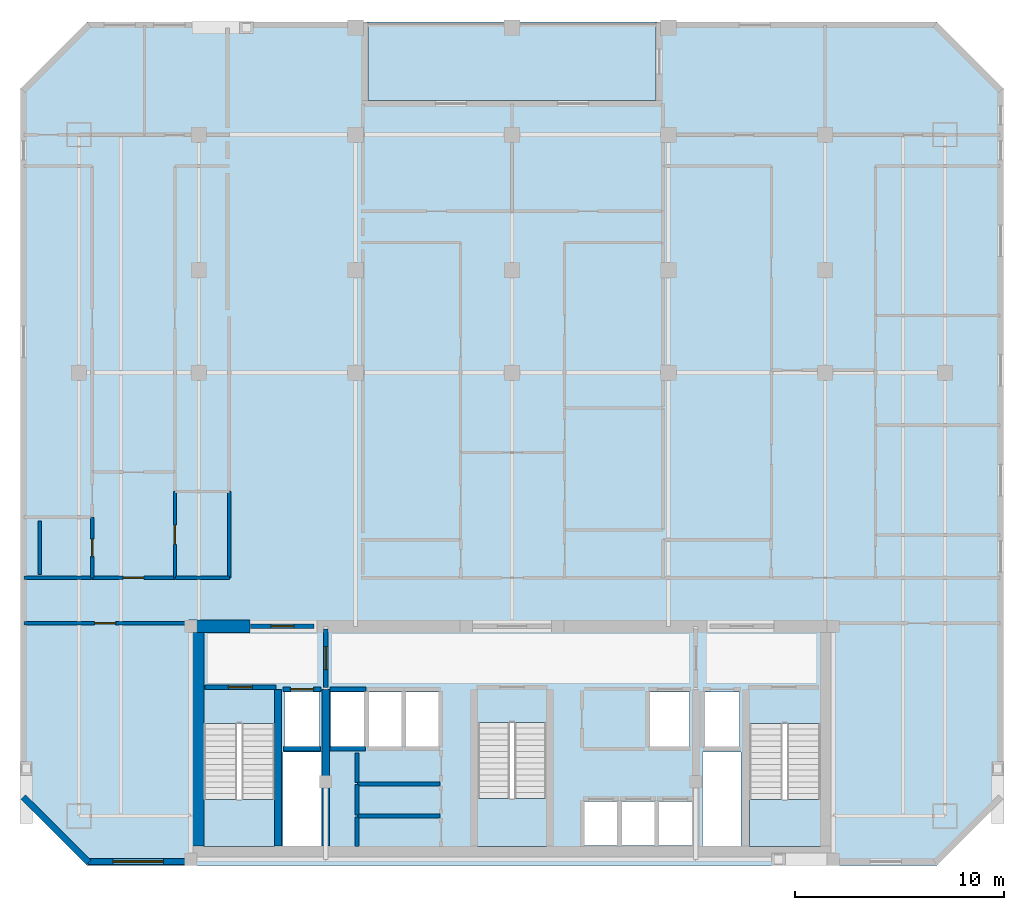
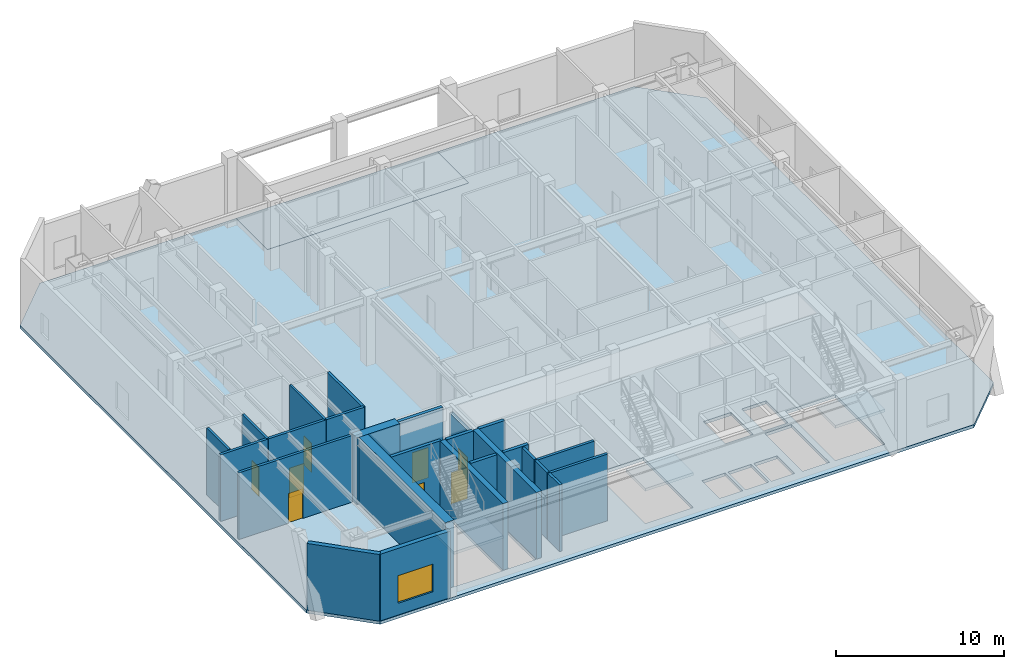
# One storey, part 2 of 8: 26 walls, 8 doors, 5 slabs, 1 window, 9 openings, 3 elements without a shape of their own.
"""IFC4 building model written with IfcOpenShell, lengths in metres."""

import ifcopenshell
import ifcopenshell.guid

model = None  # the IFC model being written
_history = None  # IfcOwnerHistory: only IFC2X3 demands one
_inside = {}  # id of a spatial element -> (the spatial element, [elements in it])
_under = {}  # id of a project, library or spatial element -> (it, [spatial elements below it])
_declared = {}  # id of a project -> (the project, [libraries it declares])
_typed = {}  # id of a type object -> (the type object, [elements of that type])
_made_of = {}  # id of a material, layer set ... -> (it, [elements and type objects made of it])


def new_model(schema):
    """Start an empty IFC model of exactly this schema.

    Asked for "IFC4X3", IfcOpenShell would pick the latest addendum, in which some entities
    have other attributes; the version numbers below select the first issue.
    IFC2X3 requires an IfcOwnerHistory on every rooted entity: one is made here for all.
    """
    global model, _history
    if schema == "IFC4X3":
        model = ifcopenshell.file(schema_version=(4, 3, 0, 0))
    else:
        model = ifcopenshell.file(schema=schema)
    _inside.clear()
    _under.clear()
    _declared.clear()
    _typed.clear()
    _made_of.clear()
    _history = None
    if model.schema == "IFC2X3":
        org = make("IfcOrganization", Name="unknown")
        user = make(
            "IfcPersonAndOrganization",
            ThePerson=make("IfcPerson", FamilyName="unknown"),
            TheOrganization=org,
        )
        app = make(
            "IfcApplication",
            ApplicationDeveloper=org,
            Version="unknown",
            ApplicationFullName="unknown",
            ApplicationIdentifier="unknown",
        )
        _history = make(
            "IfcOwnerHistory",
            OwningUser=user,
            OwningApplication=app,
            ChangeAction="ADDED",
            CreationDate=0,
        )
    return model


def make(cls, **values):
    """One entity of the class cls with the attributes given. An attribute that is None is left unset."""
    return model.create_entity(
        cls, **{name: value for name, value in values.items() if value is not None}
    )


def rooted(cls, **values):
    """An entity with a GlobalId (a new one), such as an element, a storey or a relation."""
    return make(cls, GlobalId=ifcopenshell.guid.new(), OwnerHistory=_history, **values)


def si_unit(unit_type, name, prefix=None):
    """IfcSIUnit, for example si_unit("LENGTHUNIT", "METRE", prefix="MILLI")."""
    return make("IfcSIUnit", UnitType=unit_type, Prefix=prefix, Name=name)


def assignment(units):
    """IfcUnitAssignment: the units of a project."""
    return None if units is None else make("IfcUnitAssignment", Units=units)


def point(xyz):
    """IfcCartesianPoint."""
    return None if xyz is None else make("IfcCartesianPoint", Coordinates=xyz)


def direction(xyz):
    """IfcDirection."""
    return None if xyz is None else make("IfcDirection", DirectionRatios=xyz)


def frame(location, z_axis=None, x_axis=None):
    """IfcAxis2Placement3D, a coordinate frame: its origin and axes. An axis left out is left unset."""
    return make(
        "IfcAxis2Placement3D",
        Location=point(location),
        Axis=direction(z_axis),
        RefDirection=direction(x_axis),
    )


def frame_2d(location, x_axis=None):
    """IfcAxis2Placement2D, a coordinate frame in the plane: its origin and x axis."""
    return make(
        "IfcAxis2Placement2D", Location=point(location), RefDirection=direction(x_axis)
    )


def origin():
    """The frame at (0, 0, 0) with its axes left unset."""
    return frame((0.0, 0.0, 0.0))


def place(relative_to, where):
    """IfcLocalPlacement: puts the frame where relative to a parent placement (None: the world)."""
    return make(
        "IfcLocalPlacement", PlacementRelTo=relative_to, RelativePlacement=where
    )


def context(
    kind, dimensions, precision=None, world=None, true_north=None, identifier=None
):
    """IfcGeometricRepresentationContext, for example the 3D "Model" context."""
    return make(
        "IfcGeometricRepresentationContext",
        ContextIdentifier=identifier,
        ContextType=kind,
        CoordinateSpaceDimension=dimensions,
        Precision=precision,
        WorldCoordinateSystem=world,
        TrueNorth=true_north,
    )


def subcontext(parent, identifier, kind, view, scale=None):
    """IfcGeometricRepresentationSubContext, for example "Body" below "Model"."""
    return make(
        "IfcGeometricRepresentationSubContext",
        ContextIdentifier=identifier,
        ContextType=kind,
        ParentContext=parent,
        TargetScale=scale,
        TargetView=view,
    )


def project(units=None, contexts=None):
    """IfcProject with its units and contexts."""
    return rooted(
        "IfcProject",
        Name="project",
        RepresentationContexts=contexts,
        UnitsInContext=assignment(units),
    )


def spatial(cls, under=None, at=None, **own):
    """A site, building, storey or space (cls), placed at a placement, below another one or the project."""
    s = rooted(cls, ObjectPlacement=at, **own)
    if under is not None:
        _under.setdefault(under.id(), (under, []))[1].append(s)
    return s


def polyline(points):
    """IfcPolyline through the points."""
    return make("IfcPolyline", Points=[point(p) for p in points])


def profile(cls, at=None, kind="AREA", **sizes):
    """A parametric profile (cls). Its sizes go by their IFC names, for example OverallWidth=200.0."""
    return make(cls, ProfileType=kind, Position=at, **sizes)


def rectangle(**sizes):
    """IfcRectangleProfileDef."""
    return profile("IfcRectangleProfileDef", **sizes)


def outline(outer, holes=None, kind="AREA"):
    """IfcArbitraryClosedProfileDef: a profile drawn as a closed curve; with holes, ...WithVoids."""
    if holes is None:
        return make("IfcArbitraryClosedProfileDef", ProfileType=kind, OuterCurve=outer)
    return make(
        "IfcArbitraryProfileDefWithVoids",
        ProfileType=kind,
        OuterCurve=outer,
        InnerCurves=holes,
    )


def extrude(swept, where, along, depth):
    """IfcExtrudedAreaSolid: the profile swept, set in the frame where, extruded along a direction by depth."""
    return make(
        "IfcExtrudedAreaSolid",
        SweptArea=swept,
        Position=where,
        ExtrudedDirection=direction(along),
        Depth=depth,
    )


def shape(context_of_items, identifier, shape_type, items):
    """IfcShapeRepresentation: the items that make up one representation, for example the "Body"."""
    return make(
        "IfcShapeRepresentation",
        ContextOfItems=context_of_items,
        RepresentationIdentifier=identifier,
        RepresentationType=shape_type,
        Items=items,
    )


def material(Name=None, Category=None):
    """IfcMaterial."""
    return make("IfcMaterial", Name=Name, Category=Category)


def layer(
    of_material, thickness, ventilated=None, Name=None, Category=None, Priority=None
):
    """IfcMaterialLayer: one layer of a wall or slab, of a material (None: an air gap)."""
    return make(
        "IfcMaterialLayer",
        Material=of_material,
        LayerThickness=thickness,
        IsVentilated=ventilated,
        Name=Name,
        Category=Category,
        Priority=Priority,
    )


def layer_set(layers, Name=None):
    """IfcMaterialLayerSet."""
    return make("IfcMaterialLayerSet", MaterialLayers=layers, LayerSetName=Name)


def made_of(thing, what):
    """Note that an element or type object is made of a material, layer set ...; save() writes the relation."""
    if what is not None:
        _made_of.setdefault(what.id(), (what, []))[1].append(thing)
    return thing


def type_object(cls, material=None, **own):
    """A type object (cls), such as IfcWallType, which elements share."""
    return made_of(rooted(cls, **own), material)


def element(
    cls,
    number,
    at=None,
    inside=None,
    cuts=None,
    type_object=None,
    material=None,
    context=None,
    identifier="Body",
    shape_type=None,
    held_by="IfcProductDefinitionShape",
    body=None,
    shapes=None,
    **own,
):
    """One element of the class cls, such as IfcWall. Its Tag is "e" and its number.

    at: its placement. inside: the storey or other place that contains it. cuts: it is an
    opening in that element (IfcRelVoidsElement). A single representation is given by context,
    identifier, shape_type and body (its items); several are given by shapes. held_by: the class
    of the entity that holds the representations. save() writes the other relations.
    """
    e = rooted(cls, Tag="e%d" % number, ObjectPlacement=at, **own)
    if body is not None:
        shapes = [shape(context, identifier, shape_type, body)]
    if shapes is not None:
        e.Representation = make(held_by, Representations=shapes)
    if inside is not None:
        _inside.setdefault(inside.id(), (inside, []))[1].append(e)
    if cuts is not None:
        rooted(
            "IfcRelVoidsElement", RelatingBuildingElement=cuts, RelatedOpeningElement=e
        )
    if type_object is not None:
        _typed.setdefault(type_object.id(), (type_object, []))[1].append(e)
    return made_of(e, material)


def fill(opening, filler):
    """IfcRelFillsElement: the door or window that sits in an opening."""
    return rooted(
        "IfcRelFillsElement",
        RelatingOpeningElement=opening,
        RelatedBuildingElement=filler,
    )


def aggregate(whole, parts):
    """IfcRelAggregates: a whole, such as a stair, and the parts it consists of."""
    return rooted("IfcRelAggregates", RelatingObject=whole, RelatedObjects=parts)


def save(model, path):
    """Write the relations noted so far, then the file.

    IfcRelAggregates (storeys below a building ...), IfcRelContainedInSpatialStructure (elements
    in a storey), IfcRelDefinesByType, IfcRelAssociatesMaterial and IfcRelDeclares: one each for
    every whole, place, type object, material and project.
    """
    for whole, parts in _under.values():
        aggregate(whole, parts)
    for where, things in _inside.values():
        rooted(
            "IfcRelContainedInSpatialStructure",
            RelatedElements=things,
            RelatingStructure=where,
        )
    for kind, things in _typed.values():
        rooted("IfcRelDefinesByType", RelatedObjects=things, RelatingType=kind)
    for what, things in _made_of.values():
        rooted("IfcRelAssociatesMaterial", RelatedObjects=things, RelatingMaterial=what)
    for by, libraries in _declared.values():
        rooted("IfcRelDeclares", RelatingContext=by, RelatedDefinitions=libraries)
    model.write(path)


model = new_model("IFC4")

# Units and contexts
model_context = context("Model", 3, precision=1e-05, world=origin(), true_north=direction((0.0, 1.0)))
body_context = subcontext(model_context, "Body", "Model", "MODEL_VIEW")
ifc_project = project(units=[si_unit("LENGTHUNIT", "METRE"), si_unit("AREAUNIT", "SQUARE_METRE"), si_unit("VOLUMEUNIT", "CUBIC_METRE"), si_unit("PLANEANGLEUNIT", "RADIAN"), si_unit("MASSUNIT", "GRAM", prefix="KILO")], contexts=[model_context])

# Site, building, storey
site_placement = place(None, origin())
site = spatial("IfcSite", under=ifc_project, at=site_placement, CompositionType="ELEMENT")
building_placement = place(site_placement, origin())
building = spatial("IfcBuilding", under=site, at=building_placement, Name="Ventersveld Concourse Tower", CompositionType="ELEMENT")
storey_placement = place(building_placement, frame((0.0, 0.0, 187.550048828125)))
storey = spatial("IfcBuildingStorey", under=building, at=storey_placement, Name="L46", CompositionType="ELEMENT", Elevation=187.550048828125)

# Slabs
ifc_material_1 = material(Name="Concrete C50/60", Category="concrete")
ifc_layer_1 = layer(ifc_material_1, 0.219970703125)
ifc_layer_set_1 = layer_set([ifc_layer_1], Name="Concrete C50/60")
slab_type_1 = type_object("IfcSlabType", Name="SL-FLR-220", PredefinedType="FLOOR", material=ifc_layer_set_1)
slab_1_placement = place(storey_placement, frame((0.0, 0.0, -0.219970703125)))
element("IfcSlab", 1, at=slab_1_placement, inside=storey, type_object=slab_type_1, Name="L46 Composite Floor Slab", PredefinedType="FLOOR", context=body_context, shape_type="SweptSolid", body=[
    extrude(outline(polyline([(8.39990234375, 0.0), (49.10009765625, 0.0), (52.300048828125, 3.199951171875), (52.300048828125, 37.199951171875), (49.10009765625, 40.39990234375), (35.64990234375, 40.39990234375), (35.64990234375, 36.64990234375), (21.85009765625, 36.64990234375), (21.85009765625, 40.39990234375), (8.39990234375, 40.39990234375), (5.199951171875, 37.199951171875), (5.199951171875, 3.199951171875), (8.39990234375, 0.0)]), holes=[polyline([(13.97998046875, 6.794921875), (13.97998046875, 0.89990234375), (17.3798828125, 0.89990234375), (17.3798828125, 6.794921875), (13.97998046875, 6.794921875)]), polyline([(40.1201171875, 6.794921875), (40.1201171875, 0.89990234375), (43.52001953125, 0.89990234375), (43.52001953125, 6.794921875), (40.1201171875, 6.794921875)]), polyline([(27.10009765625, 6.844970703125), (27.10009765625, 0.89990234375), (30.39990234375, 0.89990234375), (30.39990234375, 6.844970703125), (27.10009765625, 6.844970703125)]), polyline([(17.85009765625, 5.699951171875), (19.530029296875, 5.699951171875), (19.530029296875, 8.300048828125), (17.85009765625, 8.300048828125), (17.85009765625, 5.699951171875)]), polyline([(37.969970703125, 5.699951171875), (39.64990234375, 5.699951171875), (39.64990234375, 8.300048828125), (37.969970703125, 8.300048828125), (37.969970703125, 5.699951171875)]), polyline([(35.35009765625, 5.699951171875), (37.25, 5.699951171875), (37.25, 8.300048828125), (35.35009765625, 8.300048828125), (35.35009765625, 5.699951171875)]), polyline([(32.2099609375, 0.949951171875), (33.81005859375, 0.949951171875), (33.81005859375, 3.050048828125), (32.2099609375, 3.050048828125), (32.2099609375, 0.949951171875)]), polyline([(33.989990234375, 0.949951171875), (35.590087890625, 0.949951171875), (35.590087890625, 3.050048828125), (33.989990234375, 3.050048828125), (33.989990234375, 0.949951171875)]), polyline([(35.77001953125, 0.949951171875), (37.3701171875, 0.949951171875), (37.3701171875, 3.050048828125), (35.77001953125, 3.050048828125), (35.77001953125, 0.949951171875)]), polyline([(20.090087890625, 5.699951171875), (21.68994140625, 5.699951171875), (21.68994140625, 8.300048828125), (20.090087890625, 8.300048828125), (20.090087890625, 5.699951171875)]), polyline([(21.8701171875, 5.699951171875), (23.469970703125, 5.699951171875), (23.469970703125, 8.300048828125), (21.8701171875, 8.300048828125), (21.8701171875, 5.699951171875)]), polyline([(23.64990234375, 5.699951171875), (25.25, 5.699951171875), (25.25, 8.300048828125), (23.64990234375, 8.300048828125), (23.64990234375, 5.699951171875)]), polyline([(17.780029296875, 0.919921875), (19.6201171875, 0.919921875), (19.6201171875, 5.419921875), (17.780029296875, 5.419921875), (17.780029296875, 0.919921875)]), polyline([(37.8798828125, 0.919921875), (39.719970703125, 0.919921875), (39.719970703125, 5.419921875), (37.8798828125, 5.419921875), (37.8798828125, 0.919921875)])]), origin(), (0.0, 0.0, 1.0), 0.219970703125),
])
slab_2_placement = place(storey_placement, frame((0.0, 0.0, -0.219970703125)))
element("IfcSlab", 2, at=slab_2_placement, inside=storey, type_object=slab_type_1, Name="L46 Outdoor Terrace Slab NOTCH-N", PredefinedType="FLOOR", context=body_context, shape_type="SweptSolid", body=[
    extrude(outline(polyline([(21.85009765625, 36.64990234375), (35.64990234375, 36.64990234375), (35.64990234375, 40.39990234375), (21.85009765625, 40.39990234375), (21.85009765625, 36.64990234375)])), origin(), (0.0, 0.0, 1.0), 0.219970703125),
])

# Stair, slab
stair_type_1 = type_object("IfcStairType", Name="ST-DOG-160", PredefinedType="HALF_TURN_STAIR", material=ifc_material_1)
stair_1_placement = place(storey_placement, origin())
stair_1 = element("IfcStair", 3, at=stair_1_placement, inside=storey, type_object=stair_type_1, Name="L46 Protected Tower Escape Stair ST-01", PredefinedType="HALF_TURN_STAIR")
ifc_layer_2 = layer(ifc_material_1, 0.199951171875)
ifc_layer_set_2 = layer_set([ifc_layer_2], Name="Concrete C50/60")
slab_type_2 = type_object("IfcSlabType", Name="SL-LND-200", PredefinedType="LANDING", material=ifc_layer_set_2)
slab_3_placement = place(storey_placement, frame((0.0, 0.0, 2.324951171875)))
slab_3 = element("IfcSlab", 4, at=slab_3_placement, type_object=slab_type_2, Name="ST-01 landing 1", PredefinedType="LANDING", context=body_context, shape_type="SweptSolid", body=[
    extrude(outline(polyline([(13.97998046875, 3.159912109375), (13.97998046875, 0.89990234375), (17.3798828125, 0.89990234375), (17.3798828125, 3.159912109375), (13.97998046875, 3.159912109375)])), origin(), (0.0, 0.0, 1.0), 0.199951171875),
])
aggregate(stair_1, [slab_3])

stair_2_placement = place(storey_placement, origin())
stair_2 = element("IfcStair", 5, at=stair_2_placement, inside=storey, type_object=stair_type_1, Name="L46 Protected Tower Escape Stair ST-02", PredefinedType="HALF_TURN_STAIR")
slab_4_placement = place(storey_placement, frame((0.0, 0.0, 2.324951171875)))
slab_4 = element("IfcSlab", 6, at=slab_4_placement, type_object=slab_type_2, Name="ST-02 landing 1", PredefinedType="LANDING", context=body_context, shape_type="SweptSolid", body=[
    extrude(outline(polyline([(40.1201171875, 3.159912109375), (40.1201171875, 0.89990234375), (43.52001953125, 0.89990234375), (43.52001953125, 3.159912109375), (40.1201171875, 3.159912109375)])), origin(), (0.0, 0.0, 1.0), 0.199951171875),
])
aggregate(stair_2, [slab_4])

stair_type_2 = type_object("IfcStairType", Name="ST-DOG-155", PredefinedType="HALF_TURN_STAIR", material=ifc_material_1)
stair_3_placement = place(storey_placement, origin())
stair_3 = element("IfcStair", 7, at=stair_3_placement, inside=storey, type_object=stair_type_2, Name="L46 Protected Central Core Escape Stair ST-03", PredefinedType="HALF_TURN_STAIR")
slab_5_placement = place(storey_placement, frame((0.0, 0.0, 2.324951171875)))
slab_5 = element("IfcSlab", 8, at=slab_5_placement, type_object=slab_type_2, Name="ST-03 landing 1", PredefinedType="LANDING", context=body_context, shape_type="SweptSolid", body=[
    extrude(outline(polyline([(27.10009765625, 3.2099609375), (27.10009765625, 0.89990234375), (30.39990234375, 0.89990234375), (30.39990234375, 3.2099609375), (27.10009765625, 3.2099609375)])), origin(), (0.0, 0.0, 1.0), 0.199951171875),
])
aggregate(stair_3, [slab_5])

# Walls
ifc_layer_3 = layer(ifc_material_1, 0.35009765625)
ifc_layer_set_3 = layer_set([ifc_layer_3], Name="Concrete C50/60")
wall_type_1 = type_object("IfcWallType", Name="WL-CORE-350U", PredefinedType="SHEAR", material=ifc_layer_set_3)
for number, where, z_axis, x_axis, name in (
    (9, (17.5400390625, 0.919921875, 0.0), (0.0, 0.0, 1.0), (0.0, 1.0, 0.0), "L46 Core Internal Shear Web W-ST1-E"),
    (10, (19.820068359375, 0.919921875, 0.0), (0.0, 0.0, 1.0), (0.0, 1.0, 0.0), "L46 Core Internal Shear Web W-FF1-E"),
):
    element("IfcWall", number, at=place(storey_placement, frame(where, z_axis=z_axis, x_axis=x_axis)), inside=storey, type_object=wall_type_1, Name=name, PredefinedType="SHEAR", context=body_context, shape_type="SweptSolid", body=[
        extrude(rectangle(XDim=7.5, YDim=0.35009765625, at=frame_2d((3.75, 0.0))), origin(), (0.0, 0.0, 1.0), 4.829833984375),
    ])
ifc_layer_4 = layer(ifc_material_1, 0.60009765625)
ifc_layer_set_4 = layer_set([ifc_layer_4], Name="Concrete C50/60")
wall_type_2 = type_object("IfcWallType", Name="WL-CORE-600", PredefinedType="SHEAR", material=ifc_layer_set_4)
wall_1_placement = place(storey_placement, frame((13.699951171875, 0.919921875, 0.0), z_axis=(0.0, 0.0, 1.0), x_axis=(0.0, 1.0, 0.0)))
element("IfcWall", 11, at=wall_1_placement, inside=storey, type_object=wall_type_2, Name="L46 Rear Core West Shear Wall", PredefinedType="SHEAR", context=body_context, shape_type="SweptSolid", body=[
    extrude(rectangle(XDim=10.530029296875, YDim=0.60009765625, at=frame_2d((5.26513671875, 0.0))), origin(), (0.0, 0.0, 1.0), 4.829833984375),
])
wall_2_placement = place(storey_placement, frame((13.25, 11.449951171875, 0.0), z_axis=(0.0, 0.0, 1.0), x_axis=(1.0, 0.0, 0.0)))
element("IfcWall", 12, at=wall_2_placement, inside=storey, type_object=wall_type_2, Name="L46 Rear Core North Shear Wall NW", PredefinedType="SHEAR", context=body_context, shape_type="SweptSolid", body=[
    extrude(rectangle(XDim=2.949951171875, YDim=0.60009765625, at=frame_2d((1.47509765625, 0.0))), origin(), (0.0, 0.0, 1.0), 4.829833984375),
])
ifc_material_2 = material(Name="Fire-rated autoclaved aerated masonry blockwork", Category="masonry")
ifc_layer_5 = layer(ifc_material_2, 0.179931640625)
ifc_layer_set_5 = layer_set([ifc_layer_5], Name="Fire-rated autoclaved aerated masonry blockwork")
wall_type_3 = type_object("IfcWallType", Name="WL-CORR-180", PredefinedType="PARTITIONING", material=ifc_layer_set_5)
wall_3_placement = place(storey_placement, frame((21.360107421875, 2.360107421875, 0.0), z_axis=(0.0, 0.0, 1.0), x_axis=(1.0, 0.0, 0.0)))
element("IfcWall", 13, at=wall_3_placement, inside=storey, type_object=wall_type_3, Name="L46 Core Top Wall SP-L46-RECB1S", PredefinedType="PARTITIONING", context=body_context, shape_type="SweptSolid", body=[
    extrude(rectangle(XDim=3.93994140625, YDim=0.179931640625, at=frame_2d((1.969970703125, 0.0))), origin(), (0.0, 0.0, 1.0), 4.829833984375),
])
wall_4_placement = place(storey_placement, frame((21.320068359375, 0.909912109375, 0.0), z_axis=(0.0, 0.0, 1.0), x_axis=(0.0, 1.0, 0.0)))
element("IfcWall", 14, at=wall_4_placement, inside=storey, type_object=wall_type_3, Name="L46 Core West Wall SP-L46-RECB1S", PredefinedType="PARTITIONING", context=body_context, shape_type="SweptSolid", body=[
    extrude(rectangle(XDim=1.41015625, YDim=0.179931640625, at=frame_2d((0.705078125, 0.0))), origin(), (0.0, 0.0, 1.0), 4.829833984375),
])
wall_5_placement = place(storey_placement, frame((21.360107421875, 3.89990234375, 0.0), z_axis=(0.0, 0.0, 1.0), x_axis=(1.0, 0.0, 0.0)))
element("IfcWall", 15, at=wall_5_placement, inside=storey, type_object=wall_type_3, Name="L46 Core Top Wall SP-L46-RECB1M", PredefinedType="PARTITIONING", context=body_context, shape_type="SweptSolid", body=[
    extrude(rectangle(XDim=3.93994140625, YDim=0.179931640625, at=frame_2d((1.969970703125, 0.0))), origin(), (0.0, 0.0, 1.0), 4.829833984375),
])
wall_6_placement = place(storey_placement, frame((21.320068359375, 2.419921875, 0.0), z_axis=(0.0, 0.0, 1.0), x_axis=(0.0, 1.0, 0.0)))
element("IfcWall", 16, at=wall_6_placement, inside=storey, type_object=wall_type_3, Name="L46 Core West Wall SP-L46-RECB1M", PredefinedType="PARTITIONING", context=body_context, shape_type="SweptSolid", body=[
    extrude(rectangle(XDim=1.440185546875, YDim=0.179931640625, at=frame_2d((0.72021484375, 0.0))), origin(), (0.0, 0.0, 1.0), 4.829833984375),
])
wall_7_placement = place(storey_placement, frame((21.320068359375, 3.9599609375, 0.0), z_axis=(0.0, 0.0, 1.0), x_axis=(0.0, 1.0, 0.0)))
element("IfcWall", 17, at=wall_7_placement, inside=storey, type_object=wall_type_3, Name="L46 Core West Wall SP-L46-RECB1N", PredefinedType="PARTITIONING", context=body_context, shape_type="SweptSolid", body=[
    extrude(rectangle(XDim=1.419921875, YDim=0.179931640625, at=frame_2d((0.7099609375, 0.0))), origin(), (0.0, 0.0, 1.0), 4.829833984375),
])

# Wall, opening, door
wall_8_placement = place(storey_placement, frame((5.37255859375, 11.60009765625, 0.0), z_axis=(0.0, 0.0, 1.0), x_axis=(1.0, 0.0, 0.0)))
wall_8 = element("IfcWall", 18, at=wall_8_placement, inside=storey, type_object=wall_type_3, Name="L46 Interior Partition SP-L46-SW-GAL-SP-L46-COR", PredefinedType="PARTITIONING", context=body_context, shape_type="SweptSolid", body=[
    extrude(rectangle(XDim=7.7724609375, YDim=0.179931640625, at=frame_2d((3.88623046875, 0.0))), origin(), (0.0, 0.0, 1.0), 4.829833984375),
])
opening_1_placement = place(wall_8_placement, frame((3.38623046875, 0.0, 0.0)))
opening_1 = element("IfcOpeningElement", 19, at=opening_1_placement, cuts=wall_8, Name="Opening FD3", PredefinedType="OPENING", context=body_context, shape_type="SweptSolid", body=[
    extrude(rectangle(XDim=1.0, YDim=2.14990234375, at=frame_2d((0.5, 1.074951171875))), frame((0.0, 0.10009765625, 0.0), z_axis=(0.0, -1.0, 0.0), x_axis=(1.0, 0.0, 0.0)), (0.0, 0.0, 1.0), 0.199951171875),
])
ifc_material_3 = material(Name="Solid-core hardwood veneer timber", Category="wood")
door_type_1 = type_object("IfcDoorType", Name="DR-FLAT-100", OperationType="NOTDEFINED", PredefinedType="DOOR", material=ifc_material_3)
door_1_placement = place(opening_1_placement, origin())
door_1 = element("IfcDoor", 20, at=door_1_placement, inside=storey, type_object=door_type_1, Name="L46 Interior Door SP-L46-SW-GAL to SP-L46-COR (D-L46-2253)", OperationType="SINGLE_SWING_LEFT", OverallHeight=2.14990234375, OverallWidth=1.0, PredefinedType="DOOR", context=body_context, shape_type="SweptSolid", body=[
    extrude(rectangle(XDim=1.0, YDim=2.14990234375, at=frame_2d((0.5, 1.074951171875))), frame((0.0, 0.02490234375, 0.0), z_axis=(0.0, -1.0, 0.0), x_axis=(1.0, 0.0, 0.0)), (0.0, 0.0, 1.0), 0.050048828125),
])
fill(opening_1, door_1)

wall_9_placement = place(storey_placement, frame((8.635009765625, 13.77001953125, 0.0), z_axis=(0.0, 0.0, 1.0), x_axis=(1.0, 0.0, 0.0)))
wall_9 = element("IfcWall", 21, at=wall_9_placement, inside=storey, type_object=wall_type_3, Name="L46 Interior Partition SP-L46-COR-SP-L46-46NW-FOY", PredefinedType="PARTITIONING", context=body_context, shape_type="SweptSolid", body=[
    extrude(rectangle(XDim=3.969970703125, YDim=0.179931640625, at=frame_2d((1.98486328125, 0.0))), origin(), (0.0, 0.0, 1.0), 4.829833984375),
])
opening_2_placement = place(wall_9_placement, frame((1.485107421875, 0.0, 0.0)))
opening_2 = element("IfcOpeningElement", 22, at=opening_2_placement, cuts=wall_9, Name="Opening FD3", PredefinedType="OPENING", context=body_context, shape_type="SweptSolid", body=[
    extrude(rectangle(XDim=1.0, YDim=2.14990234375, at=frame_2d((0.5, 1.074951171875))), frame((0.0, 0.10009765625, 0.0), z_axis=(0.0, -1.0, 0.0), x_axis=(1.0, 0.0, 0.0)), (0.0, 0.0, 1.0), 0.199951171875),
])
door_2_placement = place(opening_2_placement, origin())
door_2 = element("IfcDoor", 23, at=door_2_placement, inside=storey, type_object=door_type_1, Name="L46 Interior Door SP-L46-COR to SP-L46-46NW-FOY (FD-L46-2255)", OperationType="SINGLE_SWING_LEFT", OverallHeight=2.14990234375, OverallWidth=1.0, PredefinedType="DOOR", context=body_context, shape_type="SweptSolid", body=[
    extrude(rectangle(XDim=1.0, YDim=2.14990234375, at=frame_2d((0.5, 1.074951171875))), frame((0.0, 0.02490234375, 0.0), z_axis=(0.0, -1.0, 0.0), x_axis=(1.0, 0.0, 0.0)), (0.0, 0.0, 1.0), 0.050048828125),
])
fill(opening_2, door_2)

# Walls
wall_10_placement = place(storey_placement, frame((5.37255859375, 13.77001953125, 0.0), z_axis=(0.0, 0.0, 1.0), x_axis=(1.0, 0.0, 0.0)))
element("IfcWall", 24, at=wall_10_placement, inside=storey, type_object=wall_type_3, Name="L46 Interior Partition SP-L46-COR-SP-L46-46NW-BATH", PredefinedType="PARTITIONING", context=body_context, shape_type="SweptSolid", body=[
    extrude(rectangle(XDim=3.232421875, YDim=0.179931640625, at=frame_2d((1.6162109375, 0.0))), origin(), (0.0, 0.0, 1.0), 4.829833984375),
])
wall_11_placement = place(storey_placement, frame((15.2099609375, 13.764892578125, 0.0), z_axis=(0.0, 0.0, 1.0), x_axis=(0.0, 1.0, 0.0)))
element("IfcWall", 25, at=wall_11_placement, inside=storey, type_object=wall_type_3, Name="L46 Interior Partition SP-L46-COR-SP-L46-46NW-KIT", PredefinedType="PARTITIONING", context=body_context, shape_type="SweptSolid", body=[
    extrude(rectangle(XDim=4.140625, YDim=0.179931640625, at=frame_2d((2.0703125, 0.0))), origin(), (0.0, 0.0, 1.0), 4.829833984375),
])
wall_12_placement = place(storey_placement, frame((12.635009765625, 13.77001953125, 0.0), z_axis=(0.0, 0.0, 1.0), x_axis=(1.0, 0.0, 0.0)))
element("IfcWall", 26, at=wall_12_placement, inside=storey, type_object=wall_type_3, Name="L46 Interior Partition SP-L46-COR-SP-L46-46NW-KIT", PredefinedType="PARTITIONING", context=body_context, shape_type="SweptSolid", body=[
    extrude(rectangle(XDim=2.580078125, YDim=0.179931640625, at=frame_2d((1.2900390625, 0.0))), origin(), (0.0, 0.0, 1.0), 4.829833984375),
])
ifc_layer_6 = layer(ifc_material_2, 0.219970703125)
ifc_layer_set_6 = layer_set([ifc_layer_6], Name="Fire-rated autoclaved aerated masonry blockwork")
wall_type_4 = type_object("IfcWallType", Name="WL-HOIST-220", PredefinedType="SOLIDWALL", material=ifc_layer_set_6)
wall_13_placement = place(storey_placement, frame((17.800048828125, 5.590087890625, 0.0), z_axis=(0.0, 0.0, 1.0), x_axis=(1.0, 0.0, 0.0)))
element("IfcWall", 27, at=wall_13_placement, inside=storey, type_object=wall_type_4, Name="L46 Lift Hoistway Back Wall FFL-01", PredefinedType="SOLIDWALL", context=body_context, shape_type="SweptSolid", body=[
    extrude(rectangle(XDim=1.780029296875, YDim=0.219970703125, at=frame_2d((0.89013671875, 0.0))), origin(), (0.0, 0.0, 1.0), 4.829833984375),
])

# Wall, opening, door
wall_14_placement = place(storey_placement, frame((17.780029296875, 8.429931640625, 0.0), z_axis=(0.0, 0.0, 1.0), x_axis=(1.0, 0.0, 0.0)))
wall_14 = element("IfcWall", 28, at=wall_14_placement, inside=storey, type_object=wall_type_4, Name="L46 Lift Hoistway Front Wall FFL-01", PredefinedType="SOLIDWALL", context=body_context, shape_type="SweptSolid", body=[
    extrude(rectangle(XDim=1.820068359375, YDim=0.219970703125, at=frame_2d((0.91015625, 0.0))), origin(), (0.0, 0.0, 1.0), 4.829833984375),
])
opening_3_placement = place(wall_14_placement, frame((0.35009765625, 0.0, 0.0)))
opening_3 = element("IfcOpeningElement", 29, at=opening_3_placement, cuts=wall_14, Name="Opening LD1", PredefinedType="OPENING", context=body_context, shape_type="SweptSolid", body=[
    extrude(rectangle(XDim=1.1201171875, YDim=2.25, at=frame_2d((0.56005859375, 1.125))), frame((0.0, 0.1201171875, 0.0), z_axis=(0.0, -1.0, 0.0), x_axis=(1.0, 0.0, 0.0)), (0.0, 0.0, 1.0), 0.239990234375),
])
ifc_material_4 = material(Name="Brushed stainless steel 316", Category="steel")
door_type_2 = type_object("IfcDoorType", Name="LD-FF-112", OperationType="SLIDING_TO_LEFT", PredefinedType="DOOR", material=ifc_material_4)
door_3_placement = place(opening_3_placement, origin())
door_3 = element("IfcDoor", 30, at=door_3_placement, inside=storey, type_object=door_type_2, Name="L46 Lift landing door FFL-01 (LD-L46-FFL-01)", OperationType="SLIDING_TO_LEFT", OverallHeight=2.25, OverallWidth=1.1201171875, PredefinedType="DOOR", context=body_context, shape_type="SweptSolid", body=[
    extrude(rectangle(XDim=1.1201171875, YDim=2.25, at=frame_2d((0.56005859375, 1.125))), frame((0.0, 0.02490234375, 0.0), z_axis=(0.0, -1.0, 0.0), x_axis=(1.0, 0.0, 0.0)), (0.0, 0.0, 1.0), 0.050048828125),
])
fill(opening_3, door_3)

# Walls
wall_15_placement = place(storey_placement, frame((20.0400390625, 5.590087890625, 0.0), z_axis=(0.0, 0.0, 1.0), x_axis=(1.0, 0.0, 0.0)))
element("IfcWall", 31, at=wall_15_placement, inside=storey, type_object=wall_type_4, Name="L46 Lift Hoistway Back Wall PH-01", PredefinedType="SOLIDWALL", context=body_context, shape_type="SweptSolid", body=[
    extrude(rectangle(XDim=1.699951171875, YDim=0.219970703125, at=frame_2d((0.85009765625, 0.0))), origin(), (0.0, 0.0, 1.0), 4.829833984375),
])
wall_16_placement = place(storey_placement, frame((20.02001953125, 8.429931640625, 0.0), z_axis=(0.0, 0.0, 1.0), x_axis=(1.0, 0.0, 0.0)))
element("IfcWall", 32, at=wall_16_placement, inside=storey, type_object=wall_type_4, Name="L46 Lift Hoistway Front Wall PH-01", PredefinedType="SOLIDWALL", context=body_context, shape_type="SweptSolid", body=[
    extrude(rectangle(XDim=1.739990234375, YDim=0.219970703125, at=frame_2d((0.8701171875, 0.0))), origin(), (0.0, 0.0, 1.0), 4.829833984375),
])

# Wall, opening, door
wall_17_placement = place(storey_placement, frame((14.0400390625, 8.52001953125, 0.0), z_axis=(0.0, 0.0, 1.0), x_axis=(1.0, 0.0, 0.0)))
wall_17 = element("IfcWall", 33, at=wall_17_placement, inside=storey, type_object=wall_type_4, Name="L46 Escape Stair ST01 Fire Wall", PredefinedType="SOLIDWALL", context=body_context, shape_type="SweptSolid", body=[
    extrude(rectangle(XDim=3.39990234375, YDim=0.219970703125, at=frame_2d((1.699951171875, 0.0))), origin(), (0.0, 0.0, 1.0), 4.829833984375),
])
opening_4_placement = place(wall_17_placement, frame((1.125, 0.0, 0.0)))
opening_4 = element("IfcOpeningElement", 34, at=opening_4_placement, cuts=wall_17, Name="Opening FD1", PredefinedType="OPENING", context=body_context, shape_type="SweptSolid", body=[
    extrude(rectangle(XDim=1.14990234375, YDim=2.199951171875, at=frame_2d((0.574951171875, 1.10009765625))), frame((0.0, 0.1201171875, 0.0), z_axis=(0.0, -1.0, 0.0), x_axis=(1.0, 0.0, 0.0)), (0.0, 0.0, 1.0), 0.239990234375),
])
ifc_material_5 = material(Name="Galvanised painted steel", Category="steel")
door_type_3 = type_object("IfcDoorType", Name="DR-STAIR-115", OperationType="NOTDEFINED", PredefinedType="DOOR", material=ifc_material_5)
door_4_placement = place(opening_4_placement, origin())
door_4 = element("IfcDoor", 35, at=door_4_placement, inside=storey, type_object=door_type_3, Name="L46 Escape Stair Door ST01 (SD-L46-2241)", OperationType="SINGLE_SWING_LEFT", OverallHeight=2.199951171875, OverallWidth=1.14990234375, PredefinedType="DOOR", context=body_context, shape_type="SweptSolid", body=[
    extrude(rectangle(XDim=1.14990234375, YDim=2.199951171875, at=frame_2d((0.574951171875, 1.10009765625))), frame((0.0, 0.02490234375, 0.0), z_axis=(0.0, -1.0, 0.0), x_axis=(1.0, 0.0, 0.0)), (0.0, 0.0, 1.0), 0.050048828125),
])
fill(opening_4, door_4)

wall_18_placement = place(storey_placement, frame((19.820068359375, 8.52001953125, 0.0), z_axis=(0.0, 0.0, 1.0), x_axis=(0.0, 1.0, 0.0)))
wall_18 = element("IfcWall", 36, at=wall_18_placement, inside=storey, type_object=wall_type_4, Name="L46 Firefighting Lobby Smoke-Stop Wall FFLW-SEP", PredefinedType="SOLIDWALL", context=body_context, shape_type="SweptSolid", body=[
    extrude(rectangle(XDim=2.800048828125, YDim=0.219970703125, at=frame_2d((1.39990234375, 0.0))), origin(), (0.0, 0.0, 1.0), 4.285400390625),
])
opening_5_placement = place(wall_18_placement, frame((0.85009765625, 0.0, 0.0)))
opening_5 = element("IfcOpeningElement", 37, at=opening_5_placement, cuts=wall_18, Name="Opening FD2", PredefinedType="OPENING", context=body_context, shape_type="SweptSolid", body=[
    extrude(rectangle(XDim=1.10009765625, YDim=2.199951171875, at=frame_2d((0.550048828125, 1.10009765625))), frame((0.0, 0.1201171875, 0.0), z_axis=(0.0, -1.0, 0.0), x_axis=(1.0, 0.0, 0.0)), (0.0, 0.0, 1.0), 0.239990234375),
])
door_type_4 = type_object("IfcDoorType", Name="DR-FFL-110", OperationType="NOTDEFINED", PredefinedType="DOOR", material=ifc_material_5)
door_5_placement = place(opening_5_placement, origin())
door_5 = element("IfcDoor", 38, at=door_5_placement, inside=storey, type_object=door_type_4, Name="L46 Firefighting Lobby Door FFLW-SEP (FD-L46-2244)", OperationType="SINGLE_SWING_LEFT", OverallHeight=2.199951171875, OverallWidth=1.10009765625, PredefinedType="DOOR", context=body_context, shape_type="SweptSolid", body=[
    extrude(rectangle(XDim=1.10009765625, YDim=2.199951171875, at=frame_2d((0.550048828125, 1.10009765625))), frame((0.0, 0.02490234375, 0.0), z_axis=(0.0, -1.0, 0.0), x_axis=(1.0, 0.0, 0.0)), (0.0, 0.0, 1.0), 0.050048828125),
])
fill(opening_5, door_5)

wall_19_placement = place(storey_placement, frame((16.22998046875, 11.449951171875, 0.0), z_axis=(0.0, 0.0, 1.0), x_axis=(1.0, 0.0, 0.0)))
wall_19 = element("IfcWall", 39, at=wall_19_placement, inside=storey, type_object=wall_type_4, Name="L46 Core North Fire Portal FFLW-OUT", PredefinedType="SOLIDWALL", context=body_context, shape_type="SweptSolid", body=[
    extrude(rectangle(XDim=3.0400390625, YDim=0.219970703125, at=frame_2d((1.52001953125, 0.0))), origin(), (0.0, 0.0, 1.0), 4.829833984375),
])
opening_6_placement = place(wall_19_placement, frame((0.969970703125, 0.0, 0.0)))
opening_6 = element("IfcOpeningElement", 40, at=opening_6_placement, cuts=wall_19, Name="Opening FD2", PredefinedType="OPENING", context=body_context, shape_type="SweptSolid", body=[
    extrude(rectangle(XDim=1.10009765625, YDim=2.199951171875, at=frame_2d((0.550048828125, 1.10009765625))), frame((0.0, 0.1201171875, 0.0), z_axis=(0.0, -1.0, 0.0), x_axis=(1.0, 0.0, 0.0)), (0.0, 0.0, 1.0), 0.239990234375),
])
door_6_placement = place(opening_6_placement, origin())
door_6 = element("IfcDoor", 41, at=door_6_placement, inside=storey, type_object=door_type_4, Name="L46 Core Lobby Fire Door FFLW-OUT (FD-L46-2246)", OperationType="SINGLE_SWING_RIGHT", OverallHeight=2.199951171875, OverallWidth=1.10009765625, PredefinedType="DOOR", context=body_context, shape_type="SweptSolid", body=[
    extrude(rectangle(XDim=1.10009765625, YDim=2.199951171875, at=frame_2d((0.550048828125, 1.10009765625))), frame((0.0, 0.02490234375, 0.0), z_axis=(0.0, -1.0, 0.0), x_axis=(1.0, 0.0, 0.0)), (0.0, 0.0, 1.0), 0.050048828125),
])
fill(opening_6, door_6)

ifc_material_6 = material(Name="Autoclaved aerated masonry blockwork", Category="masonry")
ifc_layer_7 = layer(ifc_material_6, 0.14990234375)
ifc_layer_set_7 = layer_set([ifc_layer_7], Name="Autoclaved aerated masonry blockwork")
wall_type_5 = type_object("IfcWallType", Name="WL-INT-150", PredefinedType="PARTITIONING", material=ifc_layer_set_7)
wall_20_placement = place(storey_placement, frame((12.60009765625, 13.764892578125, 0.0), z_axis=(0.0, 0.0, 1.0), x_axis=(0.0, 1.0, 0.0)))
wall_20 = element("IfcWall", 42, at=wall_20_placement, inside=storey, type_object=wall_type_5, Name="L46 Interior Partition SP-L46-46NW-FOY-SP-L46-46NW-KIT", PredefinedType="PARTITIONING", context=body_context, shape_type="SweptSolid", body=[
    extrude(rectangle(XDim=4.140625, YDim=0.14990234375, at=frame_2d((2.0703125, 0.0))), origin(), (0.0, 0.0, 1.0), 4.829833984375),
])
opening_7_placement = place(wall_20_placement, frame((1.6103515625, 0.0, 0.0)))
opening_7 = element("IfcOpeningElement", 43, at=opening_7_placement, cuts=wall_20, Name="Opening ID1", PredefinedType="OPENING", context=body_context, shape_type="SweptSolid", body=[
    extrude(rectangle(XDim=0.919921875, YDim=2.10009765625, at=frame_2d((0.4599609375, 1.050048828125))), frame((0.0, 0.0849609375, 0.0), z_axis=(0.0, -1.0, 0.0), x_axis=(1.0, 0.0, 0.0)), (0.0, 0.0, 1.0), 0.169921875),
])
door_type_5 = type_object("IfcDoorType", Name="DR-ROOM-092", OperationType="NOTDEFINED", PredefinedType="DOOR", material=ifc_material_3)
door_7_placement = place(opening_7_placement, origin())
door_7 = element("IfcDoor", 44, at=door_7_placement, inside=storey, type_object=door_type_5, Name="L46 Interior Door SP-L46-46NW-FOY to SP-L46-46NW-KIT (D-L46-2261)", OperationType="SINGLE_SWING_LEFT", OverallHeight=2.10009765625, OverallWidth=0.919921875, PredefinedType="DOOR", context=body_context, shape_type="SweptSolid", body=[
    extrude(rectangle(XDim=0.919921875, YDim=2.10009765625, at=frame_2d((0.4599609375, 1.050048828125))), frame((0.0, 0.02490234375, 0.0), z_axis=(0.0, -1.0, 0.0), x_axis=(1.0, 0.0, 0.0)), (0.0, 0.0, 1.0), 0.050048828125),
])
fill(opening_7, door_7)

# Wall, opening, window
ifc_material_7 = material(Name="Precast concrete C45/55", Category="concrete")
ifc_layer_8 = layer(ifc_material_7, 0.300048828125)
ifc_layer_set_8 = layer_set([ifc_layer_8], Name="Precast concrete C45/55")
wall_type_6 = type_object("IfcWallType", Name="WL-PREC-300", PredefinedType="SOLIDWALL", material=ifc_layer_set_8)
wall_21_placement = place(storey_placement, frame((8.43994140625, 0.179931640625, 0.0), z_axis=(0.0, 0.0, 1.0), x_axis=(1.0, 0.0, 0.0)))
wall_21 = element("IfcWall", 45, at=wall_21_placement, inside=storey, type_object=wall_type_6, Name="L46 South-West Flank Precast Wall", PredefinedType="SOLIDWALL", context=body_context, shape_type="SweptSolid", body=[
    extrude(rectangle(XDim=4.81005859375, YDim=0.300048828125, at=frame_2d((2.405029296875, 0.0))), origin(), (0.0, 0.0, 1.0), 4.829833984375),
])
opening_8_placement = place(wall_21_placement, frame((1.205078125, 0.0, 0.85009765625)))
opening_8 = element("IfcOpeningElement", 46, at=opening_8_placement, cuts=wall_21, Name="Opening W5", PredefinedType="OPENING", context=body_context, shape_type="SweptSolid", body=[
    extrude(rectangle(XDim=2.39990234375, YDim=2.0, at=frame_2d((1.199951171875, 1.0))), frame((0.0, 0.16015625, 0.0), z_axis=(0.0, -1.0, 0.0), x_axis=(1.0, 0.0, 0.0)), (0.0, 0.0, 1.0), 0.320068359375),
])
ifc_material_8 = material(Name="Tempered acoustic Low-E IGU", Category="glass")
window_type = type_object("IfcWindowType", Name="WIN-240x210", PartitioningType="SINGLE_PANEL", PredefinedType="WINDOW", material=ifc_material_8)
window_placement = place(opening_8_placement, origin())
window = element("IfcWindow", 47, at=window_placement, inside=storey, type_object=window_type, Name="L46 Punched Low-E Window W-0636", OverallHeight=2.0, OverallWidth=2.39990234375, PartitioningType="SINGLE_PANEL", PredefinedType="WINDOW", context=body_context, shape_type="SweptSolid", body=[
    extrude(rectangle(XDim=2.39990234375, YDim=2.0, at=frame_2d((1.199951171875, 1.0))), frame((0.0, 0.030029296875, 0.0), z_axis=(0.0, -1.0, 0.0), x_axis=(1.0, 0.0, 0.0)), (0.0, 0.0, 1.0), 0.06005859375),
])
fill(opening_8, window)

# Wall
wall_22_placement = place(storey_placement, frame((5.33447265625, 3.27783203125, 0.0), z_axis=(0.0, 0.0, 1.0), x_axis=(0.707106781187, -0.707106781187, 0.0)))
element("IfcWall", 48, at=wall_22_placement, inside=storey, type_object=wall_type_6, Name="L46 Highveld Precast Facade Wall E12", PredefinedType="SOLIDWALL", context=body_context, shape_type="SweptSolid", body=[
    extrude(rectangle(XDim=4.4453125, YDim=0.300048828125, at=frame_2d((2.22265625, 0.0))), origin(), (0.0, 0.0, 1.0), 4.829833984375),
])

# Wall, opening, door
ifc_layer_9 = layer(ifc_material_6, 0.1650390625)
ifc_layer_set_9 = layer_set([ifc_layer_9], Name="Autoclaved aerated masonry blockwork")
wall_type_7 = type_object("IfcWallType", Name="WL-WET-165", PredefinedType="PLUMBINGWALL", material=ifc_layer_set_9)
wall_23_placement = place(storey_placement, frame((8.639892578125, 13.764892578125, 0.0), z_axis=(0.0, 0.0, 1.0), x_axis=(0.0, 1.0, 0.0)))
wall_23 = element("IfcWall", 49, at=wall_23_placement, inside=storey, type_object=wall_type_7, Name="L46 Interior Partition SP-L46-46NW-FOY-SP-L46-46NW-BATH", PredefinedType="PLUMBINGWALL", context=body_context, shape_type="SweptSolid", body=[
    extrude(rectangle(XDim=2.906005859375, YDim=0.1650390625, at=frame_2d((1.453125, 0.0))), origin(), (0.0, 0.0, 1.0), 4.829833984375),
])
opening_9_placement = place(wall_23_placement, frame((1.028076171875, 0.0, 0.0)))
opening_9 = element("IfcOpeningElement", 50, at=opening_9_placement, cuts=wall_23, Name="Opening ID2", PredefinedType="OPENING", context=body_context, shape_type="SweptSolid", body=[
    extrude(rectangle(XDim=0.85009765625, YDim=2.10009765625, at=frame_2d((0.425048828125, 1.050048828125))), frame((0.0, 0.092529296875, 0.0), z_axis=(0.0, -1.0, 0.0), x_axis=(1.0, 0.0, 0.0)), (0.0, 0.0, 1.0), 0.18505859375),
])
door_type_6 = type_object("IfcDoorType", Name="DR-BATH-085", OperationType="NOTDEFINED", PredefinedType="DOOR", material=ifc_material_3)
door_8_placement = place(opening_9_placement, origin())
door_8 = element("IfcDoor", 51, at=door_8_placement, inside=storey, type_object=door_type_6, Name="L46 Interior Door SP-L46-46NW-FOY to SP-L46-46NW-BATH (D-L46-2259)", OperationType="SINGLE_SWING_LEFT", OverallHeight=2.10009765625, OverallWidth=0.85009765625, PredefinedType="DOOR", context=body_context, shape_type="SweptSolid", body=[
    extrude(rectangle(XDim=0.85009765625, YDim=2.10009765625, at=frame_2d((0.425048828125, 1.050048828125))), frame((0.0, 0.02490234375, 0.0), z_axis=(0.0, -1.0, 0.0), x_axis=(1.0, 0.0, 0.0)), (0.0, 0.0, 1.0), 0.050048828125),
])
fill(opening_9, door_8)

# Wall
wall_24_placement = place(storey_placement, frame((6.1201171875, 13.93505859375, 0.0), z_axis=(0.0, 0.0, 1.0), x_axis=(0.0, 1.0, 0.0)))
element("IfcWall", 52, at=wall_24_placement, inside=storey, type_object=wall_type_7, Name="L46 Room Enclosure Wall SP-L46-46NW-BATH", PredefinedType="PLUMBINGWALL", context=body_context, shape_type="SweptSolid", body=[
    extrude(rectangle(XDim=2.56591796875, YDim=0.1650390625, at=frame_2d((1.282958984375, 0.0))), origin(), (0.0, 0.0, 1.0), 4.829833984375),
])

save(model, "model.ifc")
